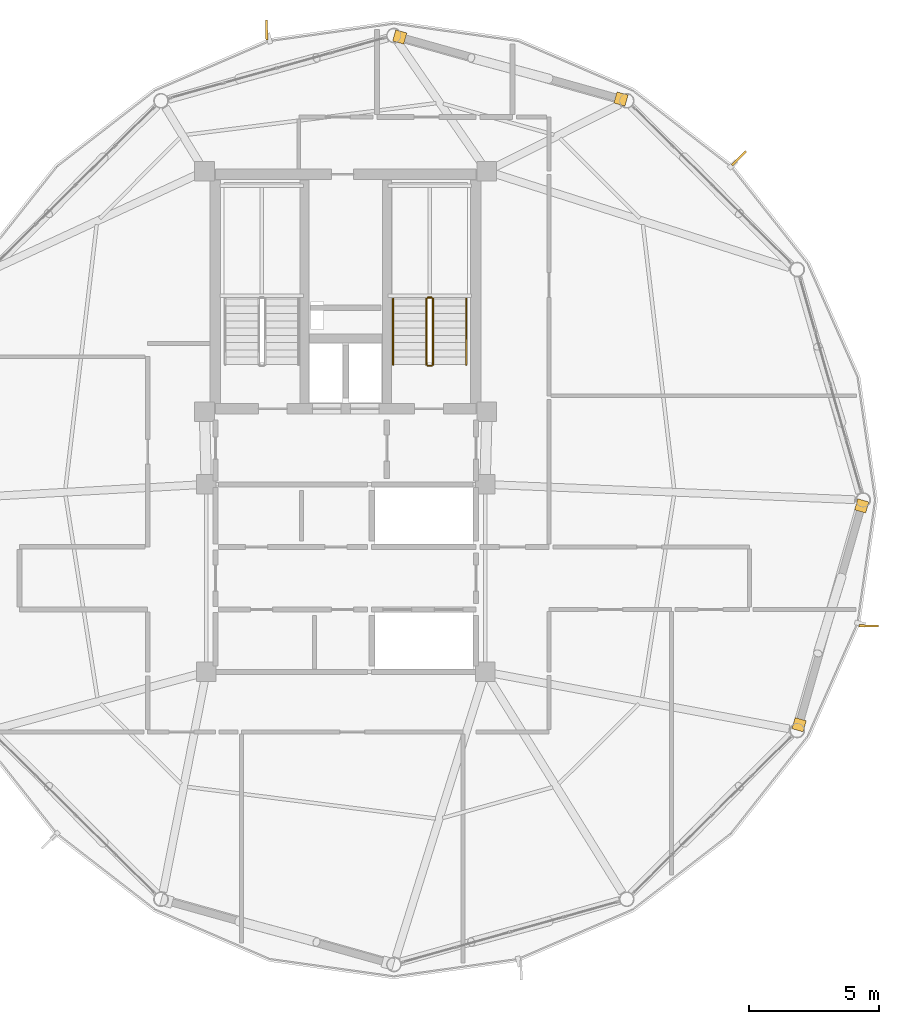
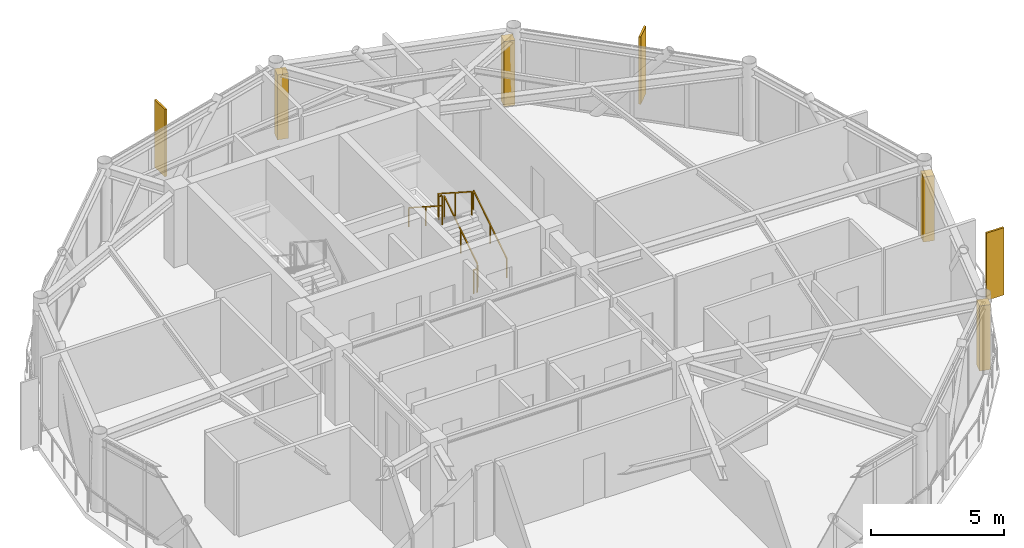
# One storey, part 24 of 24: 6 railings, 4 coverings, 3 shading devices.
"""IFC4 building model written with IfcOpenShell, lengths in metres."""

from ifc_helpers import new_model, si_unit, direction, frame, origin, origin_2d, place, context, subcontext, project, spatial, rectangle, extrude, source, transform, mapped, material, layer, layer_set, type_object, type_shapes, element, save


model = new_model("IFC4")

# Units and contexts
model_context = context("Model", 3, precision=1e-05, world=origin(), true_north=direction((0.0, 1.0)))
body_context = subcontext(model_context, "Body", "Model", "MODEL_VIEW")
ifc_project = project(units=[si_unit("LENGTHUNIT", "METRE"), si_unit("AREAUNIT", "SQUARE_METRE"), si_unit("VOLUMEUNIT", "CUBIC_METRE"), si_unit("PLANEANGLEUNIT", "RADIAN"), si_unit("MASSUNIT", "GRAM", prefix="KILO")], contexts=[model_context])

# Site, building, storey
site_placement = place(None, origin())
site = spatial("IfcSite", under=ifc_project, at=site_placement, CompositionType="ELEMENT")
building_placement = place(site_placement, origin())
building = spatial("IfcBuilding", under=site, at=building_placement, Name="Varnakorn Sky Granary", CompositionType="ELEMENT")
storey_placement = place(building_placement, frame((0.0, 0.0, 274.199951171875)))
storey = spatial("IfcBuildingStorey", under=building, at=storey_placement, Name="L70", CompositionType="ELEMENT", Elevation=274.199951171875)

# Railings
ifc_material_1 = material(Name="Brushed Stainless Steel 316", Category="steel")
railing_type_1 = type_object("IfcRailingType", Name="RL-STAIR-1100", PredefinedType="GUARDRAIL", material=ifc_material_1)
railing_1_placement = place(storey_placement, frame((6.35009765625, 5.199951171875, 0.179931640625)))
element("IfcRailing", 1, at=railing_1_placement, inside=storey, type_object=railing_type_1, Name="L70 ST-2 stair guard 1", PredefinedType="GUARDRAIL", context=body_context, shape_type="SweptSolid", body=[
    extrude(rectangle(XDim=0.048095703125, YDim=0.048095703125, at=origin_2d()), frame((0.0, 0.0, 1.076171875), z_axis=(0.0, 0.841162588446, 0.540782303519), x_axis=(-1.0, 0.0, 0.0)), (0.0, 0.0, 1.0), 2.995849609375),
    extrude(rectangle(XDim=0.0419921875, YDim=0.0419921875, at=origin_2d()), origin(), (0.0, 0.0, 1.0), 1.048095703125),
    extrude(rectangle(XDim=0.0419921875, YDim=0.0419921875, at=origin_2d()), frame((0.0, 1.260009765625, 0.81005859375)), (0.0, 0.0, 1.0), 1.048095703125),
    extrude(rectangle(XDim=0.0419921875, YDim=0.0419921875, at=origin_2d()), frame((0.0, 2.52001953125, 1.6201171875)), (0.0, 0.0, 1.0), 1.048095703125),
])
railing_2_placement = place(storey_placement, frame((6.300048828125, 7.77001953125, 1.800048828125)))
element("IfcRailing", 2, at=railing_2_placement, inside=storey, type_object=railing_type_1, Name="L70 ST-2 stair guard 2", PredefinedType="GUARDRAIL", context=body_context, shape_type="SweptSolid", body=[
    extrude(rectangle(XDim=0.048095703125, YDim=0.048095703125, at=origin_2d()), frame((0.0, 0.0, 1.076171875), z_axis=(-1.0, 0.0, 0.0), x_axis=(0.0, -1.0, 0.0)), (0.0, 0.0, 1.0), 0.150146484375),
    extrude(rectangle(XDim=0.0419921875, YDim=0.0419921875, at=origin_2d()), origin(), (0.0, 0.0, 1.0), 1.048095703125),
    extrude(rectangle(XDim=0.0419921875, YDim=0.0419921875, at=origin_2d()), frame((-0.150146484375, 0.0, 0.0)), (0.0, 0.0, 1.0), 1.048095703125),
])
railing_3_placement = place(storey_placement, frame((6.10009765625, 7.719970703125, 1.97998046875)))
element("IfcRailing", 3, at=railing_3_placement, inside=storey, type_object=railing_type_1, Name="L70 ST-2 stair guard 3", PredefinedType="GUARDRAIL", context=body_context, shape_type="SweptSolid", body=[
    extrude(rectangle(XDim=0.048095703125, YDim=0.048095703125, at=origin_2d()), frame((0.0, 0.0, 1.076171875), z_axis=(0.0, -0.841162588446, 0.540782303519), x_axis=(1.0, 0.0, 0.0)), (0.0, 0.0, 1.0), 2.995849609375),
    extrude(rectangle(XDim=0.0419921875, YDim=0.0419921875, at=origin_2d()), origin(), (0.0, 0.0, 1.0), 1.048095703125),
    extrude(rectangle(XDim=0.0419921875, YDim=0.0419921875, at=origin_2d()), frame((0.0, -1.260009765625, 0.81005859375)), (0.0, 0.0, 1.0), 1.048095703125),
    extrude(rectangle(XDim=0.0419921875, YDim=0.0419921875, at=origin_2d()), frame((0.0, -2.52001953125, 1.6201171875)), (0.0, 0.0, 1.0), 1.048095703125),
])
railing_4_placement = place(storey_placement, frame((6.300048828125, 5.14990234375, 0.0)))
element("IfcRailing", 4, at=railing_4_placement, inside=storey, type_object=railing_type_1, Name="L70 ST-2 stair guard 4", PredefinedType="GUARDRAIL", context=body_context, shape_type="SweptSolid", body=[
    extrude(rectangle(XDim=0.048095703125, YDim=0.048095703125, at=origin_2d()), frame((0.0, 0.0, 1.076171875), z_axis=(-1.0, 0.0, 0.0), x_axis=(0.0, -1.0, 0.0)), (0.0, 0.0, 1.0), 0.150146484375),
    extrude(rectangle(XDim=0.0419921875, YDim=0.0419921875, at=origin_2d()), origin(), (0.0, 0.0, 1.0), 1.048095703125),
    extrude(rectangle(XDim=0.0419921875, YDim=0.0419921875, at=origin_2d()), frame((-0.150146484375, 0.0, 0.0)), (0.0, 0.0, 1.0), 1.048095703125),
])
railing_type_2 = type_object("IfcRailingType", Name="RL-STAIR-920", PredefinedType="HANDRAIL", material=ifc_material_1)
railing_5_placement = place(storey_placement, frame((7.6298828125, 5.199951171875, 0.179931640625)))
element("IfcRailing", 5, at=railing_5_placement, inside=storey, type_object=railing_type_2, Name="L70 ST-2 stair handrail 1", PredefinedType="HANDRAIL", context=body_context, shape_type="SweptSolid", body=[
    extrude(rectangle(XDim=0.048095703125, YDim=0.048095703125, at=origin_2d()), frame((0.0, 0.0, 0.8759765625), z_axis=(0.0, 0.841162588446, 0.540782303519), x_axis=(-1.0, 0.0, 0.0)), (0.0, 0.0, 1.0), 2.995849609375),
    extrude(rectangle(XDim=0.0419921875, YDim=0.0419921875, at=origin_2d()), origin(), (0.0, 0.0, 1.0), 0.847900390625),
    extrude(rectangle(XDim=0.0419921875, YDim=0.0419921875, at=origin_2d()), frame((0.0, 1.260009765625, 0.81005859375)), (0.0, 0.0, 1.0), 0.847900390625),
    extrude(rectangle(XDim=0.0419921875, YDim=0.0419921875, at=origin_2d()), frame((0.0, 2.52001953125, 1.6201171875)), (0.0, 0.0, 1.0), 0.847900390625),
])
railing_6_placement = place(storey_placement, frame((4.820068359375, 7.719970703125, 1.97998046875)))
element("IfcRailing", 6, at=railing_6_placement, inside=storey, type_object=railing_type_2, Name="L70 ST-2 stair handrail 2", PredefinedType="HANDRAIL", context=body_context, shape_type="SweptSolid", body=[
    extrude(rectangle(XDim=0.048095703125, YDim=0.048095703125, at=origin_2d()), frame((0.0, 0.0, 0.8759765625), z_axis=(0.0, -0.841162588446, 0.540782303519), x_axis=(1.0, 0.0, 0.0)), (0.0, 0.0, 1.0), 2.995849609375),
    extrude(rectangle(XDim=0.0419921875, YDim=0.0419921875, at=origin_2d()), origin(), (0.0, 0.0, 1.0), 0.847900390625),
    extrude(rectangle(XDim=0.0419921875, YDim=0.0419921875, at=origin_2d()), frame((0.0, -1.260009765625, 0.81005859375)), (0.0, 0.0, 1.0), 0.847900390625),
    extrude(rectangle(XDim=0.0419921875, YDim=0.0419921875, at=origin_2d()), frame((0.0, -2.52001953125, 1.6201171875)), (0.0, 0.0, 1.0), 0.847900390625),
])

# Coverings
ifc_material_2 = material(Name="Anodised Bronze Aluminium Alloy 6063-T6", Category="aluminium")
ifc_layer = layer(ifc_material_2, 0.050048828125, Name="Anodised Bronze Aluminium Alloy 6063-T6")
ifc_layer_set = layer_set([ifc_layer], Name="Anodised Bronze Aluminium Alloy 6063-T6")
covering_type = type_object("IfcCoveringType", Name="CV-CLAD-50", PredefinedType="CLADDING", material=ifc_layer_set)
shared_shape_1 = source(origin(), body_context, "Body", "SweptSolid", [
    extrude(rectangle(XDim=0.43994140625, YDim=0.43994140625, at=origin_2d()), origin(), (0.0, 0.0, 1.0), 2.989990234375),
])
type_shapes(covering_type, [shared_shape_1])
for number, where, z_axis, x_axis, name in (
    (7, (5.07568359375, 17.771728515625, -0.02001953125), (0.0, 0.0, 1.0), (0.962880426559, -0.26992829446, 0.0), "Bronze Corner Pilaster Closure L70-P03-A"),
    (8, (13.567138671875, 15.391845703125, -0.02001953125), (0.0, 0.0, 1.0), (0.962880426559, -0.26992829446, 0.0), "Bronze Corner Pilaster Closure L70-P03-B"),
    (9, (22.806396484375, -0.2255859375, -0.02001953125), (0.0, 0.0, 1.0), (-0.274966201438, -0.961453892845, 0.0), "Bronze Corner Pilaster Closure L70-P12-A"),
    (10, (20.404296875, -8.62451171875, -0.02001953125), (0.0, 0.0, 1.0), (-0.274966201438, -0.961453892845, 0.0), "Bronze Corner Pilaster Closure L70-P12-B"),
):
    element("IfcCovering", number, at=place(storey_placement, frame(where, z_axis=z_axis, x_axis=x_axis)), inside=storey, type_object=covering_type, Name=name, PredefinedType="CLADDING", context=body_context, shape_type="MappedRepresentation", body=[
        mapped(shared_shape_1, transform((0.0, 0.0, 0.0), x_axis=(1.0, 0.0, 0.0), y_axis=(0.0, 1.0, 0.0), z_axis=(0.0, 0.0, 1.0), scale=1.0)),
    ])

# Shading devices
shading_device_type = type_object("IfcShadingDeviceType", Name="SH-FIN-03", PredefinedType="USERDEFINED", material=ifc_material_2)
shared_shape_2 = source(origin(), body_context, "Body", "SweptSolid", [
    extrude(rectangle(XDim=0.0849609375, YDim=0.760009765625, at=origin_2d()), origin(), (0.0, 0.0, 1.0), 3.10009765625),
])
type_shapes(shading_device_type, [shared_shape_2])
for number, where, z_axis, x_axis, name in (
    (11, (18.096435546875, 13.111572265625, -0.0400390625), (0.0, 0.0, 1.0), (-0.705508063072, 0.708701892858, 0.0), "Bronze Solar-Tracking Vertical Blade FIN L70-02"),
    (12, (-0.033935546875, 18.043212890625, -0.0400390625), (0.0, 0.0, 1.0), (-0.999730357131, -0.023220961005, 0.0), "Bronze Solar-Tracking Vertical Blade FIN L70-04"),
    (13, (23.073486328125, -4.83349609375, -0.0400390625), (0.0, 0.0, 1.0), (0.016729451773, 0.999860052929, 0.0), "Bronze Solar-Tracking Vertical Blade FIN L70-12"),
):
    element("IfcShadingDevice", number, at=place(storey_placement, frame(where, z_axis=z_axis, x_axis=x_axis)), inside=storey, type_object=shading_device_type, Name=name, ObjectType="FIN", PredefinedType="USERDEFINED", context=body_context, shape_type="MappedRepresentation", body=[
        mapped(shared_shape_2, transform((0.0, 0.0, 0.0), x_axis=(1.0, 0.0, 0.0), y_axis=(0.0, 1.0, 0.0), z_axis=(0.0, 0.0, 1.0), scale=1.0)),
    ])

save(model, "model.ifc")
